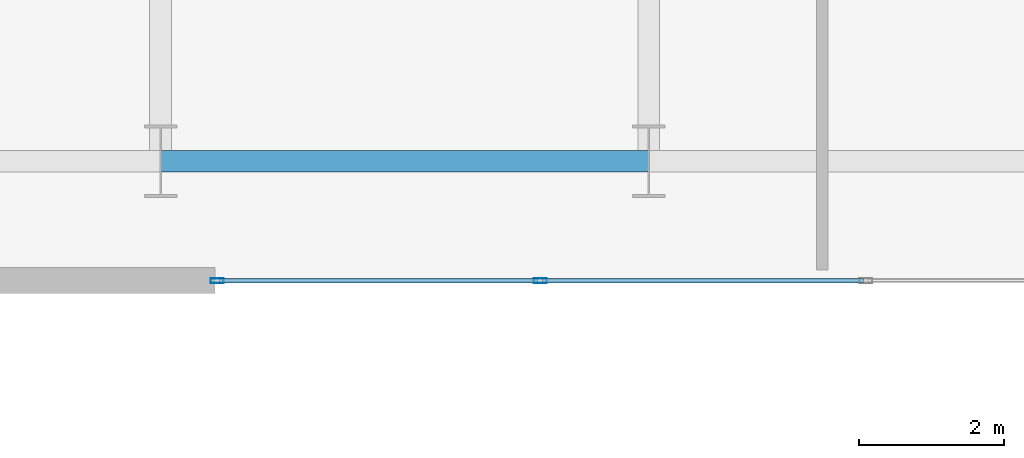
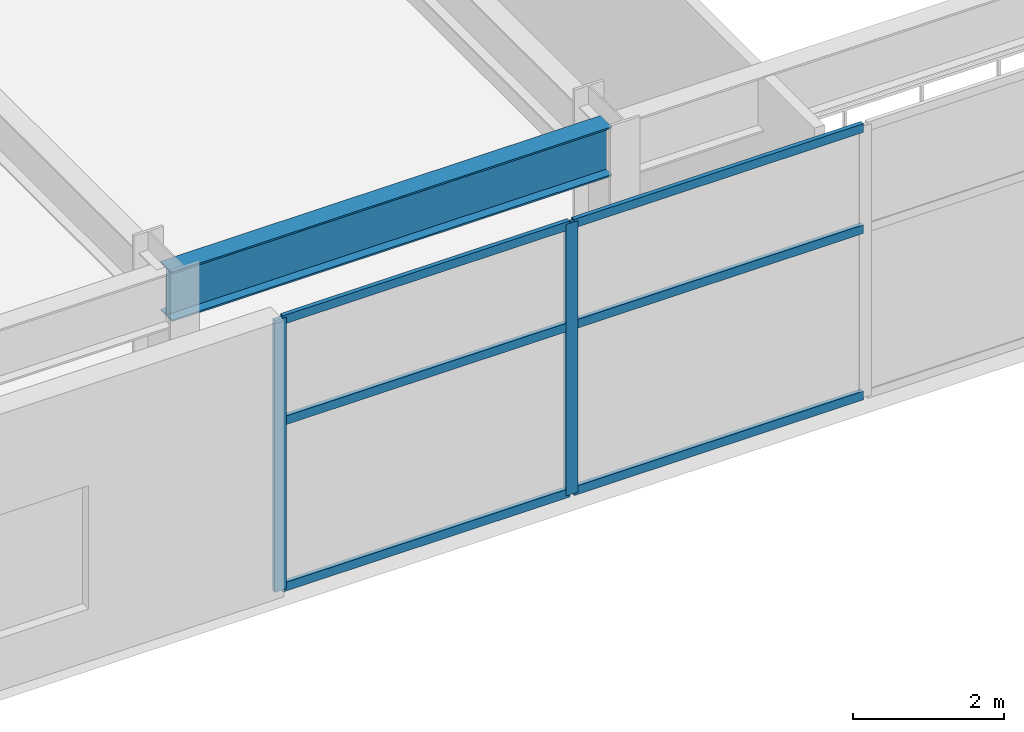
# One storey, part 4 of 25: 8 members, 1 beam, 1 element without a shape of its own.
"""IFC4 building model written with IfcOpenShell, lengths in metres."""

from ifc_helpers import new_model, si_unit, direction, frame, origin, origin_2d, place, context, subcontext, project, spatial, hollow_rectangle, i_section, extrude, material, layer, layer_set, material_profile, profile_set, type_object, element, aggregate, save


model = new_model("IFC4")

# Units and contexts
model_context = context("Model", 3, precision=1e-05, world=origin(), true_north=direction((0.0, 1.0)))
body_context = subcontext(model_context, "Body", "Model", "MODEL_VIEW")
ifc_project = project(units=[si_unit("LENGTHUNIT", "METRE"), si_unit("AREAUNIT", "SQUARE_METRE"), si_unit("VOLUMEUNIT", "CUBIC_METRE"), si_unit("PLANEANGLEUNIT", "RADIAN"), si_unit("MASSUNIT", "GRAM", prefix="KILO")], contexts=[model_context])

# Site, building, storey
site_placement = place(None, origin())
site = spatial("IfcSite", under=ifc_project, at=site_placement, CompositionType="ELEMENT")
building_placement = place(site_placement, origin())
building = spatial("IfcBuilding", under=site, at=building_placement, Name="Haevon Station Towers", CompositionType="ELEMENT")
storey_placement = place(building_placement, frame((0.0, 0.0, 6.0)))
storey = spatial("IfcBuildingStorey", under=building, at=storey_placement, Name="L01", CompositionType="ELEMENT", Elevation=6.0)

# Beam
ifc_material_1 = material(Name="Steel S355", Category="steel")
ifc_material_profile_1 = material_profile(ifc_material_1, i_section(OverallWidth=0.300048828125, OverallDepth=0.800048828125, WebThickness=0.013916015625, FlangeThickness=0.02587890625, at=origin_2d()), Name="H-800x300x14x26")
ifc_profile_set_1 = profile_set([ifc_material_profile_1], Name="Steel S355")
beam_type = type_object("IfcBeamType", Name="BM-PG800", PredefinedType="BEAM", material=ifc_profile_set_1)
beam_placement = place(storey_placement, frame((44.25, 15.14990234375, 4.10009765625), z_axis=(1.0, 0.0, 0.0), x_axis=(0.0, 1.0, 0.0)))
element("IfcBeam", 1, at=beam_placement, inside=storey, type_object=beam_type, Name="BM-T1X-L01-01-05", PredefinedType="BEAM", context=body_context, shape_type="SweptSolid", body=[
    extrude(i_section(OverallWidth=0.300048828125, OverallDepth=0.800048828125, WebThickness=0.013916015625, FlangeThickness=0.02587890625, at=origin_2d()), origin(), (0.0, 0.0, 1.0), 6.75),
])

# Curtain wall, members
ifc_material_2 = material(Name="Anodised aluminium and Low-E double glazing", Category="aluminium")
ifc_layer = layer(ifc_material_2, 0.179931640625)
ifc_layer_set = layer_set([ifc_layer], Name="Anodised aluminium and Low-E double glazing")
curtain_wall_type = type_object("IfcCurtainWallType", Name="CW-SYS1", PredefinedType="NOTDEFINED", material=ifc_layer_set)
curtain_wall_placement = place(storey_placement, origin())
curtain_wall = element("IfcCurtainWall", 2, at=curtain_wall_placement, inside=storey, type_object=curtain_wall_type, Name="L01 Curtain Wall CW-POD-L01-S2", PredefinedType="NOTDEFINED")
ifc_material_3 = material(Name="Anodised aluminium 6063-T6", Category="aluminium")
ifc_material_profile_2 = material_profile(ifc_material_3, hollow_rectangle(XDim=0.06494140625, YDim=0.179931640625, WallThickness=0.00390625, at=origin_2d()), Name="CWM-180x65x4")
ifc_profile_set_2 = profile_set([ifc_material_profile_2], Name="Anodised aluminium 6063-T6")
member_type_1 = type_object("IfcMemberType", Name="CWM-180", PredefinedType="MULLION", material=ifc_profile_set_2)
member_1_placement = place(storey_placement, frame((49.5, 13.5, 0.0), z_axis=(0.0, 0.0, 1.0), x_axis=(0.0, -1.0, 0.0)))
member_1 = element("IfcMember", 3, at=member_1_placement, type_object=member_type_1, Name="CW-SYS1 mullion 3", PredefinedType="MULLION", context=body_context, shape_type="SweptSolid", body=[
    extrude(hollow_rectangle(XDim=0.06494140625, YDim=0.179931640625, WallThickness=0.00390625, at=origin_2d()), origin(), (0.0, 0.0, 1.0), 4.39990234375),
])
member_2_placement = place(storey_placement, frame((45.032470703125, 13.5, 0.0), z_axis=(0.0, 0.0, 1.0), x_axis=(0.0, -1.0, 0.0)))
member_2 = element("IfcMember", 4, at=member_2_placement, type_object=member_type_1, Name="CW-SYS1 mullion 4", PredefinedType="MULLION", context=body_context, shape_type="SweptSolid", body=[
    extrude(hollow_rectangle(XDim=0.06494140625, YDim=0.179931640625, WallThickness=0.00390625, at=origin_2d()), origin(), (0.0, 0.0, 1.0), 4.39990234375),
])
ifc_material_profile_3 = material_profile(ifc_material_3, hollow_rectangle(XDim=0.06494140625, YDim=0.139892578125, WallThickness=0.00341796875, at=origin_2d()), Name="CWT-140x65x3.5")
ifc_profile_set_3 = profile_set([ifc_material_profile_3], Name="Anodised aluminium 6063-T6")
member_type_2 = type_object("IfcMemberType", Name="CWT-140", PredefinedType="USERDEFINED", material=ifc_profile_set_3)
member_3_placement = place(storey_placement, frame((53.967529296875, 13.5, 0.032470703125), z_axis=(-1.0, 0.0, 0.0), x_axis=(0.0, -1.0, 0.0)))
member_3 = element("IfcMember", 5, at=member_3_placement, type_object=member_type_2, Name="CW-SYS1 transom 2.1", ObjectType="TRANSOM", PredefinedType="USERDEFINED", context=body_context, shape_type="SweptSolid", body=[
    extrude(hollow_rectangle(XDim=0.06494140625, YDim=0.139892578125, WallThickness=0.00341796875, at=origin_2d()), origin(), (0.0, 0.0, 1.0), 4.43505859375),
])
member_4_placement = place(storey_placement, frame((53.967529296875, 13.5, 2.72802734375), z_axis=(-1.0, 0.0, 0.0), x_axis=(0.0, -1.0, 0.0)))
member_4 = element("IfcMember", 6, at=member_4_placement, type_object=member_type_2, Name="CW-SYS1 transom 2.2", ObjectType="TRANSOM", PredefinedType="USERDEFINED", context=body_context, shape_type="SweptSolid", body=[
    extrude(hollow_rectangle(XDim=0.06494140625, YDim=0.139892578125, WallThickness=0.00341796875, at=origin_2d()), origin(), (0.0, 0.0, 1.0), 4.43505859375),
])
member_5_placement = place(storey_placement, frame((53.967529296875, 13.5, 4.367431640625), z_axis=(-1.0, 0.0, 0.0), x_axis=(0.0, -1.0, 0.0)))
member_5 = element("IfcMember", 7, at=member_5_placement, type_object=member_type_2, Name="CW-SYS1 transom 2.3", ObjectType="TRANSOM", PredefinedType="USERDEFINED", context=body_context, shape_type="SweptSolid", body=[
    extrude(hollow_rectangle(XDim=0.06494140625, YDim=0.139892578125, WallThickness=0.00341796875, at=origin_2d()), origin(), (0.0, 0.0, 1.0), 4.43505859375),
])
member_6_placement = place(storey_placement, frame((49.467529296875, 13.5, 0.032470703125), z_axis=(-1.0, 0.0, 0.0), x_axis=(0.0, -1.0, 0.0)))
member_6 = element("IfcMember", 8, at=member_6_placement, type_object=member_type_2, Name="CW-SYS1 transom 3.1", ObjectType="TRANSOM", PredefinedType="USERDEFINED", context=body_context, shape_type="SweptSolid", body=[
    extrude(hollow_rectangle(XDim=0.06494140625, YDim=0.139892578125, WallThickness=0.00341796875, at=origin_2d()), origin(), (0.0, 0.0, 1.0), 4.402587890625),
])
member_7_placement = place(storey_placement, frame((49.467529296875, 13.5, 2.72802734375), z_axis=(-1.0, 0.0, 0.0), x_axis=(0.0, -1.0, 0.0)))
member_7 = element("IfcMember", 9, at=member_7_placement, type_object=member_type_2, Name="CW-SYS1 transom 3.2", ObjectType="TRANSOM", PredefinedType="USERDEFINED", context=body_context, shape_type="SweptSolid", body=[
    extrude(hollow_rectangle(XDim=0.06494140625, YDim=0.139892578125, WallThickness=0.00341796875, at=origin_2d()), origin(), (0.0, 0.0, 1.0), 4.402587890625),
])
member_8_placement = place(storey_placement, frame((49.467529296875, 13.5, 4.367431640625), z_axis=(-1.0, 0.0, 0.0), x_axis=(0.0, -1.0, 0.0)))
member_8 = element("IfcMember", 10, at=member_8_placement, type_object=member_type_2, Name="CW-SYS1 transom 3.3", ObjectType="TRANSOM", PredefinedType="USERDEFINED", context=body_context, shape_type="SweptSolid", body=[
    extrude(hollow_rectangle(XDim=0.06494140625, YDim=0.139892578125, WallThickness=0.00341796875, at=origin_2d()), origin(), (0.0, 0.0, 1.0), 4.402587890625),
])
aggregate(curtain_wall, [member_1, member_2, member_3, member_4, member_5, member_6, member_7, member_8])

save(model, "model.ifc")
